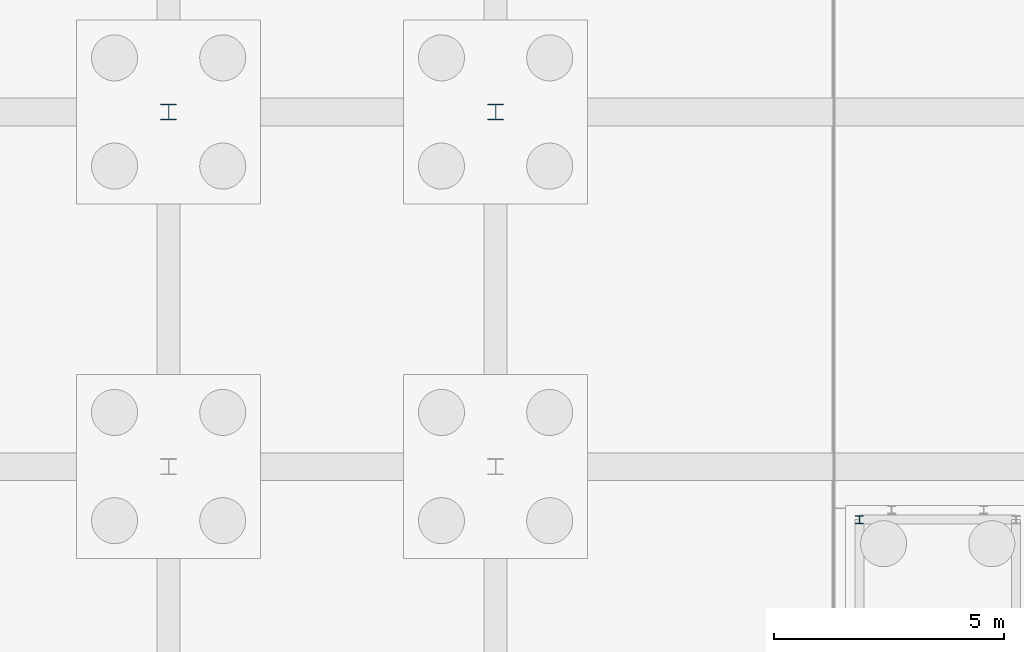
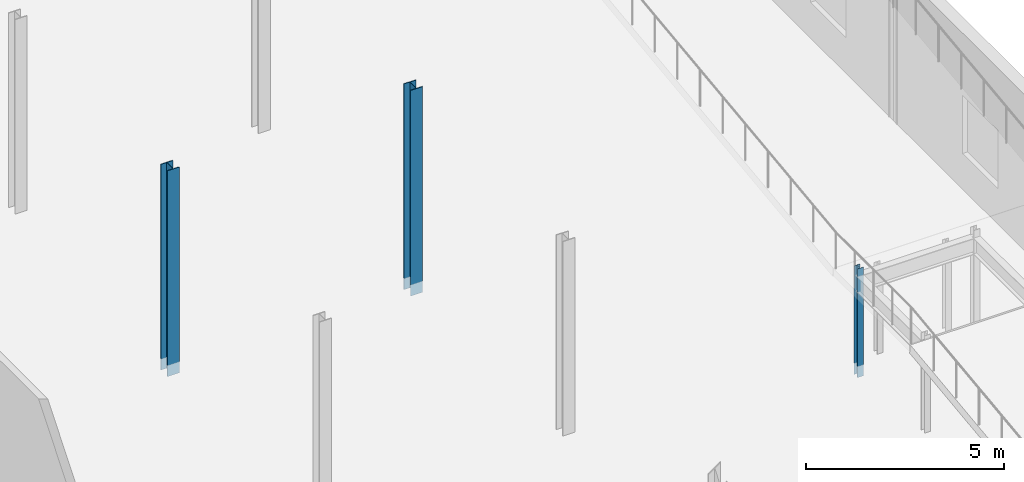
# One storey, part 36 of 139: 3 columns.
"""IFC4 building model written with IfcOpenShell, lengths in metres."""

from ifc_helpers import new_model, si_unit, direction, frame, origin, origin_2d, place, context, subcontext, project, spatial, i_section, extrude, material, material_profile, profile_set, type_object, element, save


model = new_model("IFC4")

# Units and contexts
model_context = context("Model", 3, precision=1e-05, world=origin(), true_north=direction((0.0, 1.0)))
body_context = subcontext(model_context, "Body", "Model", "MODEL_VIEW")
ifc_project = project(units=[si_unit("LENGTHUNIT", "METRE"), si_unit("AREAUNIT", "SQUARE_METRE"), si_unit("VOLUMEUNIT", "CUBIC_METRE"), si_unit("PLANEANGLEUNIT", "RADIAN"), si_unit("MASSUNIT", "GRAM", prefix="KILO")], contexts=[model_context])

# Site, building, storey
site_placement = place(None, origin())
site = spatial("IfcSite", under=ifc_project, at=site_placement, CompositionType="ELEMENT")
building_placement = place(site_placement, origin())
building = spatial("IfcBuilding", under=site, at=building_placement, Name="Kazenagashi Tramway Depot", CompositionType="ELEMENT")
storey_placement = place(building_placement, origin())
storey = spatial("IfcBuildingStorey", under=building, at=storey_placement, Name="L01", CompositionType="ELEMENT", Elevation=0.0)

# Columns
ifc_material_1 = material(Name="Steel SN490B", Category="steel")
ifc_material_profile_1 = material_profile(ifc_material_1, i_section(OverallWidth=0.35, OverallDepth=0.35, WebThickness=0.012, FlangeThickness=0.019, at=origin_2d()), Name="H-350x350x12x19")
ifc_profile_set_1 = profile_set([ifc_material_profile_1], Name="Steel SN490B")
column_type_1 = type_object("IfcColumnType", Name="C-04", PredefinedType="COLUMN", material=ifc_profile_set_1)
for number, where, z_axis, x_axis, name in (
    (1, (174.7, 38.5, -0.35), (0.0, 0.0, 1.0), (1.0, 0.0, 0.0), "Column C-04 COL-0454"),
    (2, (181.8, 38.5, -0.35), (0.0, 0.0, 1.0), (1.0, 0.0, 0.0), "Column C-04 COL-0479"),
):
    element("IfcColumn", number, at=place(storey_placement, frame(where, z_axis=z_axis, x_axis=x_axis)), inside=storey, type_object=column_type_1, Name=name, PredefinedType="COLUMN", context=body_context, shape_type="SweptSolid", body=[
        extrude(i_section(OverallWidth=0.35, OverallDepth=0.35, WebThickness=0.012, FlangeThickness=0.019, at=origin_2d()), origin(), (0.0, 0.0, 1.0), 6.35),
    ])
ifc_material_2 = material(Name="Steel SN400B", Category="steel")
ifc_material_profile_2 = material_profile(ifc_material_2, i_section(OverallWidth=0.175, OverallDepth=0.175, WebThickness=0.0075, FlangeThickness=0.011, at=origin_2d()), Name="H-175x175x7.5x11")
ifc_profile_set_2 = profile_set([ifc_material_profile_2], Name="Steel SN400B")
column_type_2 = type_object("IfcColumnType", Name="C-08", PredefinedType="COLUMN", material=ifc_profile_set_2)
column_placement = place(storey_placement, frame((189.7, 29.65, -0.35), z_axis=(0.0, 0.0, 1.0), x_axis=(1.0, 0.0, 0.0)))
element("IfcColumn", 3, at=column_placement, inside=storey, type_object=column_type_2, Name="Column C-08 COL-0896", PredefinedType="COLUMN", context=body_context, shape_type="SweptSolid", body=[
    extrude(i_section(OverallWidth=0.175, OverallDepth=0.175, WebThickness=0.0075, FlangeThickness=0.011, at=origin_2d()), origin(), (0.0, 0.0, 1.0), 3.35),
])

save(model, "model.ifc")
